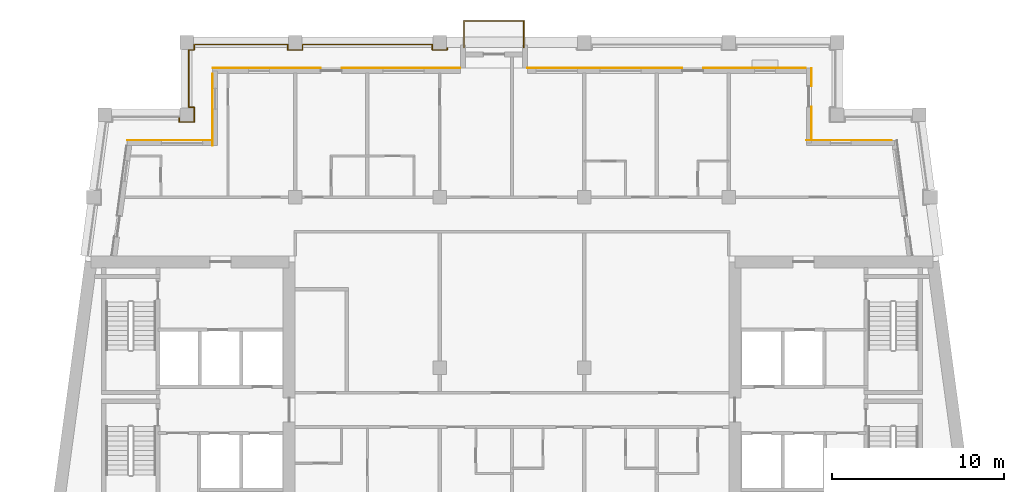
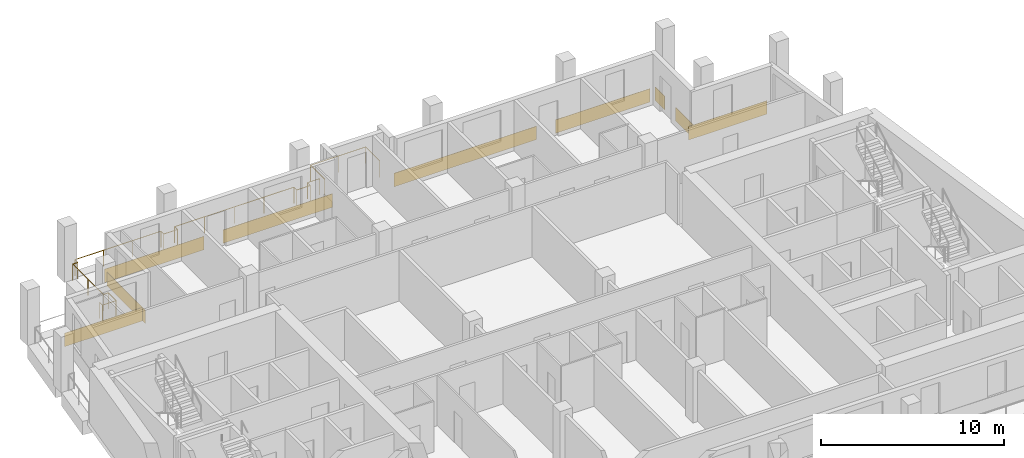
# One storey, part 13 of 14: 9 coverings, 2 railings.
"""IFC4 building model written with IfcOpenShell, lengths in metres."""

import ifcopenshell
import ifcopenshell.guid

model = None  # the IFC model being written
_history = None  # IfcOwnerHistory: only IFC2X3 demands one
_inside = {}  # id of a spatial element -> (the spatial element, [elements in it])
_under = {}  # id of a project, library or spatial element -> (it, [spatial elements below it])
_declared = {}  # id of a project -> (the project, [libraries it declares])
_typed = {}  # id of a type object -> (the type object, [elements of that type])
_made_of = {}  # id of a material, layer set ... -> (it, [elements and type objects made of it])


def new_model(schema):
    """Start an empty IFC model of exactly this schema.

    Asked for "IFC4X3", IfcOpenShell would pick the latest addendum, in which some entities
    have other attributes; the version numbers below select the first issue.
    IFC2X3 requires an IfcOwnerHistory on every rooted entity: one is made here for all.
    """
    global model, _history
    if schema == "IFC4X3":
        model = ifcopenshell.file(schema_version=(4, 3, 0, 0))
    else:
        model = ifcopenshell.file(schema=schema)
    _inside.clear()
    _under.clear()
    _declared.clear()
    _typed.clear()
    _made_of.clear()
    _history = None
    if model.schema == "IFC2X3":
        org = make("IfcOrganization", Name="unknown")
        user = make(
            "IfcPersonAndOrganization",
            ThePerson=make("IfcPerson", FamilyName="unknown"),
            TheOrganization=org,
        )
        app = make(
            "IfcApplication",
            ApplicationDeveloper=org,
            Version="unknown",
            ApplicationFullName="unknown",
            ApplicationIdentifier="unknown",
        )
        _history = make(
            "IfcOwnerHistory",
            OwningUser=user,
            OwningApplication=app,
            ChangeAction="ADDED",
            CreationDate=0,
        )
    return model


def make(cls, **values):
    """One entity of the class cls with the attributes given. An attribute that is None is left unset."""
    return model.create_entity(
        cls, **{name: value for name, value in values.items() if value is not None}
    )


def rooted(cls, **values):
    """An entity with a GlobalId (a new one), such as an element, a storey or a relation."""
    return make(cls, GlobalId=ifcopenshell.guid.new(), OwnerHistory=_history, **values)


def si_unit(unit_type, name, prefix=None):
    """IfcSIUnit, for example si_unit("LENGTHUNIT", "METRE", prefix="MILLI")."""
    return make("IfcSIUnit", UnitType=unit_type, Prefix=prefix, Name=name)


def assignment(units):
    """IfcUnitAssignment: the units of a project."""
    return None if units is None else make("IfcUnitAssignment", Units=units)


def point(xyz):
    """IfcCartesianPoint."""
    return None if xyz is None else make("IfcCartesianPoint", Coordinates=xyz)


def direction(xyz):
    """IfcDirection."""
    return None if xyz is None else make("IfcDirection", DirectionRatios=xyz)


def frame(location, z_axis=None, x_axis=None):
    """IfcAxis2Placement3D, a coordinate frame: its origin and axes. An axis left out is left unset."""
    return make(
        "IfcAxis2Placement3D",
        Location=point(location),
        Axis=direction(z_axis),
        RefDirection=direction(x_axis),
    )


def frame_2d(location, x_axis=None):
    """IfcAxis2Placement2D, a coordinate frame in the plane: its origin and x axis."""
    return make(
        "IfcAxis2Placement2D", Location=point(location), RefDirection=direction(x_axis)
    )


def origin():
    """The frame at (0, 0, 0) with its axes left unset."""
    return frame((0.0, 0.0, 0.0))


def origin_2d():
    """The frame at (0, 0) in the plane with its x axis left unset."""
    return frame_2d((0.0, 0.0))


def place(relative_to, where):
    """IfcLocalPlacement: puts the frame where relative to a parent placement (None: the world)."""
    return make(
        "IfcLocalPlacement", PlacementRelTo=relative_to, RelativePlacement=where
    )


def context(
    kind, dimensions, precision=None, world=None, true_north=None, identifier=None
):
    """IfcGeometricRepresentationContext, for example the 3D "Model" context."""
    return make(
        "IfcGeometricRepresentationContext",
        ContextIdentifier=identifier,
        ContextType=kind,
        CoordinateSpaceDimension=dimensions,
        Precision=precision,
        WorldCoordinateSystem=world,
        TrueNorth=true_north,
    )


def subcontext(parent, identifier, kind, view, scale=None):
    """IfcGeometricRepresentationSubContext, for example "Body" below "Model"."""
    return make(
        "IfcGeometricRepresentationSubContext",
        ContextIdentifier=identifier,
        ContextType=kind,
        ParentContext=parent,
        TargetScale=scale,
        TargetView=view,
    )


def project(units=None, contexts=None):
    """IfcProject with its units and contexts."""
    return rooted(
        "IfcProject",
        Name="project",
        RepresentationContexts=contexts,
        UnitsInContext=assignment(units),
    )


def spatial(cls, under=None, at=None, **own):
    """A site, building, storey or space (cls), placed at a placement, below another one or the project."""
    s = rooted(cls, ObjectPlacement=at, **own)
    if under is not None:
        _under.setdefault(under.id(), (under, []))[1].append(s)
    return s


def profile(cls, at=None, kind="AREA", **sizes):
    """A parametric profile (cls). Its sizes go by their IFC names, for example OverallWidth=200.0."""
    return make(cls, ProfileType=kind, Position=at, **sizes)


def rectangle(**sizes):
    """IfcRectangleProfileDef."""
    return profile("IfcRectangleProfileDef", **sizes)


def circle(**sizes):
    """IfcCircleProfileDef."""
    return profile("IfcCircleProfileDef", **sizes)


def extrude(swept, where, along, depth):
    """IfcExtrudedAreaSolid: the profile swept, set in the frame where, extruded along a direction by depth."""
    return make(
        "IfcExtrudedAreaSolid",
        SweptArea=swept,
        Position=where,
        ExtrudedDirection=direction(along),
        Depth=depth,
    )


def shape(context_of_items, identifier, shape_type, items):
    """IfcShapeRepresentation: the items that make up one representation, for example the "Body"."""
    return make(
        "IfcShapeRepresentation",
        ContextOfItems=context_of_items,
        RepresentationIdentifier=identifier,
        RepresentationType=shape_type,
        Items=items,
    )


def material(Name=None, Category=None):
    """IfcMaterial."""
    return make("IfcMaterial", Name=Name, Category=Category)


def layer(
    of_material, thickness, ventilated=None, Name=None, Category=None, Priority=None
):
    """IfcMaterialLayer: one layer of a wall or slab, of a material (None: an air gap)."""
    return make(
        "IfcMaterialLayer",
        Material=of_material,
        LayerThickness=thickness,
        IsVentilated=ventilated,
        Name=Name,
        Category=Category,
        Priority=Priority,
    )


def layer_set(layers, Name=None):
    """IfcMaterialLayerSet."""
    return make("IfcMaterialLayerSet", MaterialLayers=layers, LayerSetName=Name)


def made_of(thing, what):
    """Note that an element or type object is made of a material, layer set ...; save() writes the relation."""
    if what is not None:
        _made_of.setdefault(what.id(), (what, []))[1].append(thing)
    return thing


def type_object(cls, material=None, **own):
    """A type object (cls), such as IfcWallType, which elements share."""
    return made_of(rooted(cls, **own), material)


def element(
    cls,
    number,
    at=None,
    inside=None,
    cuts=None,
    type_object=None,
    material=None,
    context=None,
    identifier="Body",
    shape_type=None,
    held_by="IfcProductDefinitionShape",
    body=None,
    shapes=None,
    **own,
):
    """One element of the class cls, such as IfcWall. Its Tag is "e" and its number.

    at: its placement. inside: the storey or other place that contains it. cuts: it is an
    opening in that element (IfcRelVoidsElement). A single representation is given by context,
    identifier, shape_type and body (its items); several are given by shapes. held_by: the class
    of the entity that holds the representations. save() writes the other relations.
    """
    e = rooted(cls, Tag="e%d" % number, ObjectPlacement=at, **own)
    if body is not None:
        shapes = [shape(context, identifier, shape_type, body)]
    if shapes is not None:
        e.Representation = make(held_by, Representations=shapes)
    if inside is not None:
        _inside.setdefault(inside.id(), (inside, []))[1].append(e)
    if cuts is not None:
        rooted(
            "IfcRelVoidsElement", RelatingBuildingElement=cuts, RelatedOpeningElement=e
        )
    if type_object is not None:
        _typed.setdefault(type_object.id(), (type_object, []))[1].append(e)
    return made_of(e, material)


def aggregate(whole, parts):
    """IfcRelAggregates: a whole, such as a stair, and the parts it consists of."""
    return rooted("IfcRelAggregates", RelatingObject=whole, RelatedObjects=parts)


def save(model, path):
    """Write the relations noted so far, then the file.

    IfcRelAggregates (storeys below a building ...), IfcRelContainedInSpatialStructure (elements
    in a storey), IfcRelDefinesByType, IfcRelAssociatesMaterial and IfcRelDeclares: one each for
    every whole, place, type object, material and project.
    """
    for whole, parts in _under.values():
        aggregate(whole, parts)
    for where, things in _inside.values():
        rooted(
            "IfcRelContainedInSpatialStructure",
            RelatedElements=things,
            RelatingStructure=where,
        )
    for kind, things in _typed.values():
        rooted("IfcRelDefinesByType", RelatedObjects=things, RelatingType=kind)
    for what, things in _made_of.values():
        rooted("IfcRelAssociatesMaterial", RelatedObjects=things, RelatingMaterial=what)
    for by, libraries in _declared.values():
        rooted("IfcRelDeclares", RelatingContext=by, RelatedDefinitions=libraries)
    model.write(path)


model = new_model("IFC4")

# Units and contexts
model_context = context("Model", 3, precision=1e-05, world=origin(), true_north=direction((0.0, 1.0)))
body_context = subcontext(model_context, "Body", "Model", "MODEL_VIEW")
ifc_project = project(units=[si_unit("LENGTHUNIT", "METRE"), si_unit("AREAUNIT", "SQUARE_METRE"), si_unit("VOLUMEUNIT", "CUBIC_METRE"), si_unit("PLANEANGLEUNIT", "RADIAN"), si_unit("MASSUNIT", "GRAM", prefix="KILO")], contexts=[model_context])

# Site, building, storey
site_placement = place(None, origin())
site = spatial("IfcSite", under=ifc_project, at=site_placement, CompositionType="ELEMENT")
building_placement = place(site_placement, origin())
building = spatial("IfcBuilding", under=site, at=building_placement, Name="Candeia Pilgrim Tower and Theatre", CompositionType="ELEMENT")
storey_placement = place(building_placement, frame((0.0, 0.0, 273.800048828125)))
storey = spatial("IfcBuildingStorey", under=building, at=storey_placement, Name="L66", CompositionType="ELEMENT", Elevation=273.800048828125)

# Railings
ifc_material_1 = material(Name="Stainless steel balustrade", Category="steel")
railing_type = type_object("IfcRailingType", Name="G1 loggia guard 1100", PredefinedType="GUARDRAIL", material=ifc_material_1)
railing_1_placement = place(storey_placement, frame((94.070068359375, 140.47998046875, 0.0)))
element("IfcRailing", 1, at=railing_1_placement, inside=storey, type_object=railing_type, Name="Guard L66.1", PredefinedType="GUARDRAIL", context=body_context, shape_type="SweptSolid", body=[
    extrude(circle(Radius=0.02392578125, at=origin_2d()), frame((0.0, 0.0, 1.076171875), z_axis=(0.0, -1.0, 0.0), x_axis=(1.0, 0.0, 0.0)), (0.0, 0.0, 1.0), 0.31005859375),
    extrude(circle(Radius=0.02392578125, at=origin_2d()), frame((0.0, -0.31005859375, 1.076171875), z_axis=(1.0, 0.0, 0.0), x_axis=(0.0, 1.0, 0.0)), (0.0, 0.0, 1.0), 0.85986328125),
    extrude(circle(Radius=0.02392578125, at=origin_2d()), frame((0.85986328125, -0.31005859375, 1.076171875), z_axis=(0.0, 1.0, 0.0), x_axis=(-1.0, 0.0, 0.0)), (0.0, 0.0, 1.0), 0.860107421875),
    extrude(circle(Radius=0.02392578125, at=origin_2d()), frame((0.85986328125, 0.550048828125, 1.076171875), z_axis=(-1.0, 0.0, 0.0), x_axis=(0.0, -1.0, 0.0)), (0.0, 0.0, 1.0), 0.309814453125),
    extrude(circle(Radius=0.02392578125, at=origin_2d()), frame((0.550048828125, 0.550048828125, 1.076171875), z_axis=(0.0, 1.0, 0.0), x_axis=(-1.0, 0.0, 0.0)), (0.0, 0.0, 1.0), 3.340087890625),
    extrude(circle(Radius=0.02392578125, at=origin_2d()), frame((0.550048828125, 3.89013671875, 1.076171875), z_axis=(1.0, 0.0, 0.0), x_axis=(0.0, 1.0, 0.0)), (0.0, 0.0, 1.0), 0.309814453125),
    extrude(circle(Radius=0.02392578125, at=origin_2d()), frame((0.85986328125, 3.89013671875, 1.076171875), z_axis=(0.0, 1.0, 0.0), x_axis=(-1.0, 0.0, 0.0)), (0.0, 0.0, 1.0), 0.309814453125),
    extrude(circle(Radius=0.02392578125, at=origin_2d()), frame((0.85986328125, 4.199951171875, 1.076171875), z_axis=(1.0, 0.0, 0.0), x_axis=(0.0, 1.0, 0.0)), (0.0, 0.0, 1.0), 5.440185546875),
    extrude(circle(Radius=0.02392578125, at=origin_2d()), frame((6.300048828125, 4.199951171875, 1.076171875), z_axis=(0.0, -1.0, 0.0), x_axis=(1.0, 0.0, 0.0)), (0.0, 0.0, 1.0), 0.309814453125),
    extrude(circle(Radius=0.02392578125, at=origin_2d()), frame((6.300048828125, 3.89013671875, 1.076171875), z_axis=(1.0, 0.0, 0.0), x_axis=(0.0, 1.0, 0.0)), (0.0, 0.0, 1.0), 0.85986328125),
    extrude(circle(Radius=0.02392578125, at=origin_2d()), frame((7.159912109375, 3.89013671875, 1.076171875), z_axis=(0.0, 1.0, 0.0), x_axis=(-1.0, 0.0, 0.0)), (0.0, 0.0, 1.0), 0.309814453125),
    extrude(circle(Radius=0.02392578125, at=origin_2d()), frame((7.159912109375, 4.199951171875, 1.076171875), z_axis=(1.0, 0.0, 0.0), x_axis=(0.0, 1.0, 0.0)), (0.0, 0.0, 1.0), 7.5400390625),
    extrude(circle(Radius=0.02392578125, at=origin_2d()), frame((14.699951171875, 4.199951171875, 1.076171875), z_axis=(0.0, -1.0, 0.0), x_axis=(1.0, 0.0, 0.0)), (0.0, 0.0, 1.0), 0.309814453125),
    extrude(circle(Radius=0.02392578125, at=origin_2d()), frame((14.699951171875, 3.89013671875, 1.076171875), z_axis=(1.0, 0.0, 0.0), x_axis=(0.0, 1.0, 0.0)), (0.0, 0.0, 1.0), 0.85986328125),
    extrude(circle(Radius=0.02392578125, at=origin_2d()), frame((15.559814453125, 3.89013671875, 1.076171875), z_axis=(0.0, 1.0, 0.0), x_axis=(-1.0, 0.0, 0.0)), (0.0, 0.0, 1.0), 0.309814453125),
    extrude(circle(Radius=0.02392578125, at=origin_2d()), frame((15.559814453125, 4.199951171875, 1.076171875), z_axis=(1.0, 0.0, 0.0), x_axis=(0.0, 1.0, 0.0)), (0.0, 0.0, 1.0), 0.77001953125),
    extrude(circle(Radius=0.02099609375, at=origin_2d()), origin(), (0.0, 0.0, 1.0), 1.052001953125),
    extrude(circle(Radius=0.02099609375, at=origin_2d()), frame((0.0, -0.31005859375, 0.0)), (0.0, 0.0, 1.0), 1.052001953125),
    extrude(circle(Radius=0.02099609375, at=origin_2d()), frame((0.85986328125, -0.31005859375, 0.0)), (0.0, 0.0, 1.0), 1.052001953125),
    extrude(circle(Radius=0.02099609375, at=origin_2d()), frame((0.85986328125, 0.550048828125, 0.0)), (0.0, 0.0, 1.0), 1.052001953125),
    extrude(circle(Radius=0.02099609375, at=origin_2d()), frame((0.550048828125, 0.550048828125, 0.0)), (0.0, 0.0, 1.0), 1.052001953125),
    extrude(circle(Radius=0.02099609375, at=origin_2d()), frame((0.550048828125, 2.22021484375, 0.0)), (0.0, 0.0, 1.0), 1.052001953125),
    extrude(circle(Radius=0.02099609375, at=origin_2d()), frame((0.550048828125, 3.89013671875, 0.0)), (0.0, 0.0, 1.0), 1.052001953125),
    extrude(circle(Radius=0.02099609375, at=origin_2d()), frame((0.85986328125, 3.89013671875, 0.0)), (0.0, 0.0, 1.0), 1.052001953125),
    extrude(circle(Radius=0.02099609375, at=origin_2d()), frame((0.85986328125, 4.199951171875, 0.0)), (0.0, 0.0, 1.0), 1.052001953125),
    extrude(circle(Radius=0.02099609375, at=origin_2d()), frame((2.67333984375, 4.199951171875, 0.0)), (0.0, 0.0, 1.0), 1.052001953125),
    extrude(circle(Radius=0.02099609375, at=origin_2d()), frame((4.486572265625, 4.199951171875, 0.0)), (0.0, 0.0, 1.0), 1.052001953125),
    extrude(circle(Radius=0.02099609375, at=origin_2d()), frame((6.300048828125, 4.199951171875, 0.0)), (0.0, 0.0, 1.0), 1.052001953125),
    extrude(circle(Radius=0.02099609375, at=origin_2d()), frame((6.300048828125, 3.89013671875, 0.0)), (0.0, 0.0, 1.0), 1.052001953125),
    extrude(circle(Radius=0.02099609375, at=origin_2d()), frame((7.159912109375, 3.89013671875, 0.0)), (0.0, 0.0, 1.0), 1.052001953125),
    extrude(circle(Radius=0.02099609375, at=origin_2d()), frame((7.159912109375, 4.199951171875, 0.0)), (0.0, 0.0, 1.0), 1.052001953125),
    extrude(circle(Radius=0.02099609375, at=origin_2d()), frame((9.044921875, 4.199951171875, 0.0)), (0.0, 0.0, 1.0), 1.052001953125),
    extrude(circle(Radius=0.02099609375, at=origin_2d()), frame((10.929931640625, 4.199951171875, 0.0)), (0.0, 0.0, 1.0), 1.052001953125),
    extrude(circle(Radius=0.02099609375, at=origin_2d()), frame((12.81494140625, 4.199951171875, 0.0)), (0.0, 0.0, 1.0), 1.052001953125),
    extrude(circle(Radius=0.02099609375, at=origin_2d()), frame((14.699951171875, 4.199951171875, 0.0)), (0.0, 0.0, 1.0), 1.052001953125),
    extrude(circle(Radius=0.02099609375, at=origin_2d()), frame((14.699951171875, 3.89013671875, 0.0)), (0.0, 0.0, 1.0), 1.052001953125),
    extrude(circle(Radius=0.02099609375, at=origin_2d()), frame((15.559814453125, 3.89013671875, 0.0)), (0.0, 0.0, 1.0), 1.052001953125),
    extrude(circle(Radius=0.02099609375, at=origin_2d()), frame((15.559814453125, 4.199951171875, 0.0)), (0.0, 0.0, 1.0), 1.052001953125),
    extrude(circle(Radius=0.02099609375, at=origin_2d()), frame((16.329833984375, 4.199951171875, 0.0)), (0.0, 0.0, 1.0), 1.052001953125),
])
railing_2_placement = place(storey_placement, frame((110.610107421875, 144.5, 0.0)))
element("IfcRailing", 2, at=railing_2_placement, inside=storey, type_object=railing_type, Name="Balcony guard L66", PredefinedType="GUARDRAIL", context=body_context, shape_type="SweptSolid", body=[
    extrude(circle(Radius=0.02392578125, at=origin_2d()), frame((0.0, 0.0, 1.076171875), z_axis=(0.0, 1.0, 0.0), x_axis=(-1.0, 0.0, 0.0)), (0.0, 0.0, 1.0), 1.5400390625),
    extrude(circle(Radius=0.02392578125, at=origin_2d()), frame((0.0, 1.5400390625, 1.076171875), z_axis=(1.0, 0.0, 0.0), x_axis=(0.0, 1.0, 0.0)), (0.0, 0.0, 1.0), 3.47998046875),
    extrude(circle(Radius=0.02392578125, at=origin_2d()), frame((3.47998046875, 1.5400390625, 1.076171875), z_axis=(0.0, -1.0, 0.0), x_axis=(1.0, 0.0, 0.0)), (0.0, 0.0, 1.0), 1.5400390625),
    extrude(circle(Radius=0.02099609375, at=origin_2d()), origin(), (0.0, 0.0, 1.0), 1.052001953125),
    extrude(circle(Radius=0.02099609375, at=origin_2d()), frame((0.0, 1.5400390625, 0.0)), (0.0, 0.0, 1.0), 1.052001953125),
    extrude(circle(Radius=0.02099609375, at=origin_2d()), frame((1.739990234375, 1.5400390625, 0.0)), (0.0, 0.0, 1.0), 1.052001953125),
    extrude(circle(Radius=0.02099609375, at=origin_2d()), frame((3.47998046875, 1.5400390625, 0.0)), (0.0, 0.0, 1.0), 1.052001953125),
    extrude(circle(Radius=0.02099609375, at=origin_2d()), frame((3.47998046875, 0.0, 0.0)), (0.0, 0.0, 1.0), 1.052001953125),
])

# Coverings
ifc_material_2 = material(Name="Glazed ceramic tile bottle green")
ifc_layer = layer(ifc_material_2, 0.02001953125)
ifc_layer_set = layer_set([ifc_layer], Name="Glazed ceramic tile bottle green")
covering_type = type_object("IfcCoveringType", Name="Glazed ceramic tile bottle green", PredefinedType="CLADDING", material=ifc_layer_set)
covering_1_placement = place(storey_placement, frame((132.976318359375, 139.110107421875, 0.0), z_axis=(0.0, 0.0, 1.0), x_axis=(-1.0, 0.0, 0.0)))
element("IfcCovering", 3, at=covering_1_placement, inside=storey, type_object=covering_type, Name="Tile cladding bottle green L66", PredefinedType="CLADDING", context=body_context, shape_type="SweptSolid", body=[
    extrude(rectangle(XDim=4.95263671875, YDim=0.02001953125, at=origin_2d()), origin(), (0.0, 0.0, 1.0), 0.89990234375),
])
covering_2_placement = place(storey_placement, frame((130.81005859375, 140.0849609375, 0.0), z_axis=(0.0, 0.0, 1.0), x_axis=(0.0, 1.0, 0.0)))
element("IfcCovering", 4, at=covering_2_placement, inside=storey, type_object=covering_type, Name="Tile cladding bottle green L66", PredefinedType="CLADDING", context=body_context, shape_type="SweptSolid", body=[
    extrude(rectangle(XDim=1.929931640625, YDim=0.02001953125, at=origin_2d()), origin(), (0.0, 0.0, 1.0), 0.89990234375),
])
covering_3_placement = place(storey_placement, frame((130.81005859375, 142.77490234375, 0.0), z_axis=(0.0, 0.0, 1.0), x_axis=(0.0, 1.0, 0.0)))
element("IfcCovering", 5, at=covering_3_placement, inside=storey, type_object=covering_type, Name="Tile cladding bottle green L66", PredefinedType="CLADDING", context=body_context, shape_type="SweptSolid", body=[
    extrude(rectangle(XDim=1.050048828125, YDim=0.02001953125, at=origin_2d()), origin(), (0.0, 0.0, 1.0), 0.89990234375),
])
covering_4_placement = place(storey_placement, frame((127.489990234375, 143.31005859375, 0.0), z_axis=(0.0, 0.0, 1.0), x_axis=(-1.0, 0.0, 0.0)))
element("IfcCovering", 6, at=covering_4_placement, inside=storey, type_object=covering_type, Name="Tile cladding bottle green L66", PredefinedType="CLADDING", context=body_context, shape_type="SweptSolid", body=[
    extrude(rectangle(XDim=5.97998046875, YDim=0.02001953125, at=origin_2d()), origin(), (0.0, 0.0, 1.0), 0.89990234375),
])
covering_5_placement = place(storey_placement, frame((118.800048828125, 143.31005859375, 0.0), z_axis=(0.0, 0.0, 1.0), x_axis=(-1.0, 0.0, 0.0)))
element("IfcCovering", 7, at=covering_5_placement, inside=storey, type_object=covering_type, Name="Tile cladding bottle green L66", PredefinedType="CLADDING", context=body_context, shape_type="SweptSolid", body=[
    extrude(rectangle(XDim=9.0, YDim=0.02001953125, at=origin_2d()), origin(), (0.0, 0.0, 1.0), 0.89990234375),
])
covering_6_placement = place(storey_placement, frame((106.949951171875, 143.31005859375, 0.0), z_axis=(0.0, 0.0, 1.0), x_axis=(-1.0, 0.0, 0.0)))
element("IfcCovering", 8, at=covering_6_placement, inside=storey, type_object=covering_type, Name="Tile cladding bottle green L66", PredefinedType="CLADDING", context=body_context, shape_type="SweptSolid", body=[
    extrude(rectangle(XDim=6.89990234375, YDim=0.02001953125, at=origin_2d()), origin(), (0.0, 0.0, 1.0), 0.89990234375),
])
covering_7_placement = place(storey_placement, frame((99.14990234375, 143.31005859375, 0.0), z_axis=(0.0, 0.0, 1.0), x_axis=(-1.0, 0.0, 0.0)))
element("IfcCovering", 9, at=covering_7_placement, inside=storey, type_object=covering_type, Name="Tile cladding bottle green L66", PredefinedType="CLADDING", context=body_context, shape_type="SweptSolid", body=[
    extrude(rectangle(XDim=6.300048828125, YDim=0.02001953125, at=origin_2d()), origin(), (0.0, 0.0, 1.0), 0.89990234375),
])
covering_8_placement = place(storey_placement, frame((95.989990234375, 140.889892578125, 0.0), z_axis=(0.0, 0.0, 1.0), x_axis=(0.0, -1.0, 0.0)))
element("IfcCovering", 10, at=covering_8_placement, inside=storey, type_object=covering_type, Name="Tile cladding bottle green L66", PredefinedType="CLADDING", context=body_context, shape_type="SweptSolid", body=[
    extrude(rectangle(XDim=4.179931640625, YDim=0.02001953125, at=origin_2d()), origin(), (0.0, 0.0, 1.0), 0.89990234375),
])
covering_9_placement = place(storey_placement, frame((93.51318359375, 139.110107421875, 0.0), z_axis=(0.0, 0.0, 1.0), x_axis=(-1.0, 0.0, 0.0)))
element("IfcCovering", 11, at=covering_9_placement, inside=storey, type_object=covering_type, Name="Tile cladding bottle green L66", PredefinedType="CLADDING", context=body_context, shape_type="SweptSolid", body=[
    extrude(rectangle(XDim=4.933837890625, YDim=0.02001953125, at=origin_2d()), origin(), (0.0, 0.0, 1.0), 0.89990234375),
])

save(model, "model.ifc")
